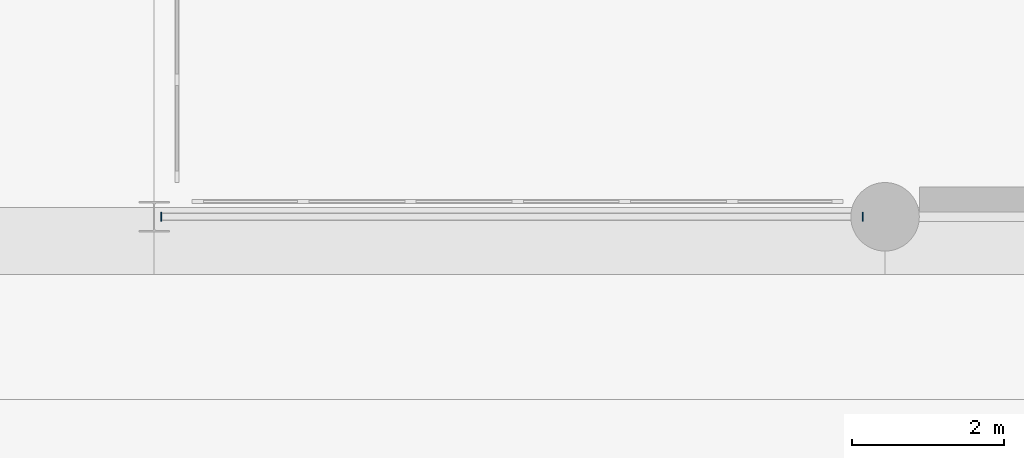
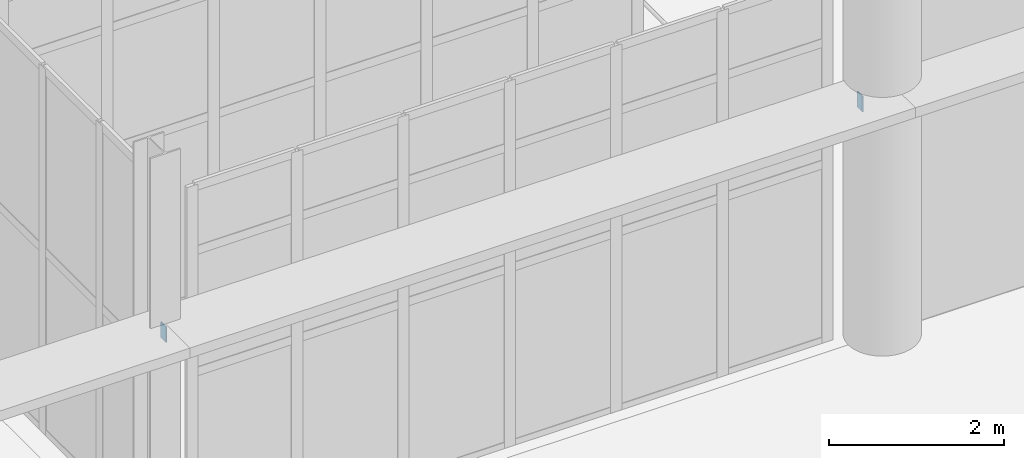
# One storey, part 91 of 139: 2 plates.
"""IFC4 building model written with IfcOpenShell, lengths in metres."""

from ifc_helpers import new_model, si_unit, direction, frame, origin, origin_2d, place, context, subcontext, project, spatial, rectangle, extrude, material, layer, layer_set, type_object, element, save


model = new_model("IFC4")

# Units and contexts
model_context = context("Model", 3, precision=1e-05, world=origin(), true_north=direction((0.0, 1.0)))
body_context = subcontext(model_context, "Body", "Model", "MODEL_VIEW")
ifc_project = project(units=[si_unit("LENGTHUNIT", "METRE"), si_unit("AREAUNIT", "SQUARE_METRE"), si_unit("VOLUMEUNIT", "CUBIC_METRE"), si_unit("PLANEANGLEUNIT", "RADIAN"), si_unit("MASSUNIT", "GRAM", prefix="KILO")], contexts=[model_context])

# Site, building, storey
site_placement = place(None, origin())
site = spatial("IfcSite", under=ifc_project, at=site_placement, CompositionType="ELEMENT")
building_placement = place(site_placement, origin())
building = spatial("IfcBuilding", under=site, at=building_placement, Name="Yeouljin Market Hall", CompositionType="ELEMENT")
storey_placement = place(building_placement, origin())
storey = spatial("IfcBuildingStorey", under=building, at=storey_placement, Name="L00", CompositionType="ELEMENT", Elevation=0.0)

# Plates
ifc_material = material(Name="Steel SM355", Category="steel")
ifc_layer = layer(ifc_material, 0.01611328125)
ifc_layer_set = layer_set([ifc_layer], Name="Steel SM355")
plate_type = type_object("IfcPlateType", Name="CapPlate_220x120x16", PredefinedType="SHEET", material=ifc_layer_set)
for number, where, z_axis, x_axis, name in (
    (1, (112.2919921875, 0.0, 3.240234375), (0.0, 0.0, 1.0), (0.0, 1.0, 0.0), "Portal lintel end-cap plate 10-W"),
    (2, (121.508056640625, 0.0, 3.240234375), (0.0, 0.0, 1.0), (0.0, 1.0, 0.0), "Portal lintel end-cap plate 10-E"),
):
    element("IfcPlate", number, at=place(storey_placement, frame(where, z_axis=z_axis, x_axis=x_axis)), inside=storey, type_object=plate_type, Name=name, PredefinedType="SHEET", context=body_context, shape_type="SweptSolid", body=[
        extrude(rectangle(XDim=0.1201171875, YDim=0.01611328125, at=origin_2d()), origin(), (0.0, 0.0, 1.0), 0.219970703125),
    ])

save(model, "model.ifc")
